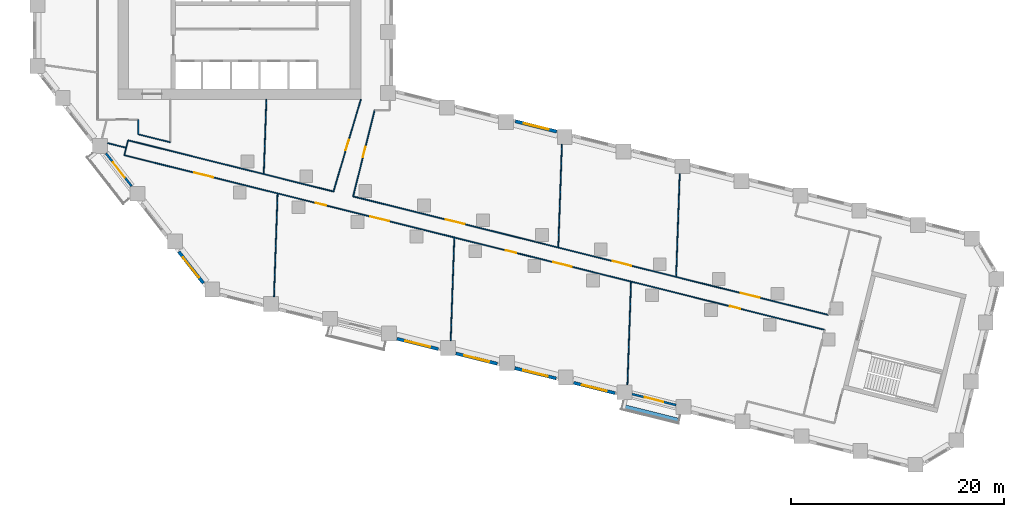
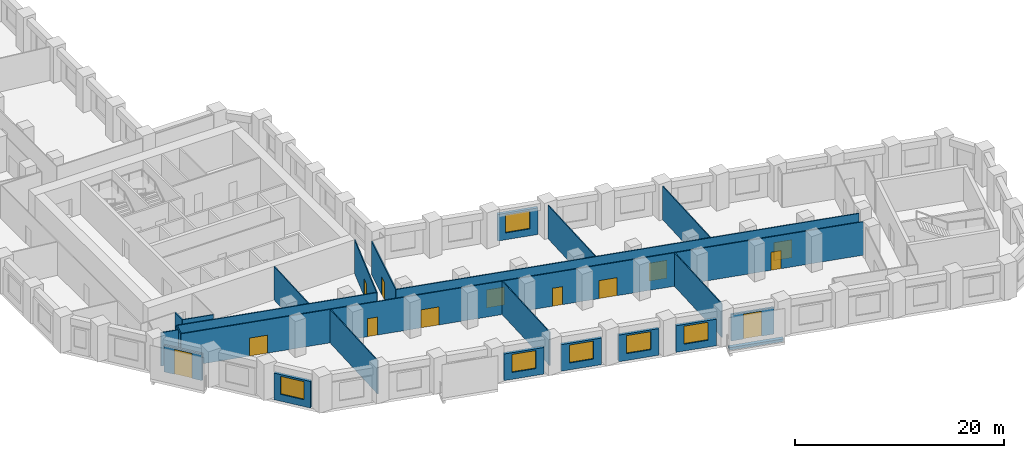
# One storey, part 3 of 11: 24 walls, 13 doors, 6 windows, 19 openings.
"""IFC4 building model written with IfcOpenShell, lengths in metres."""

import ifcopenshell
import ifcopenshell.guid

model = None  # the IFC model being written
_history = None  # IfcOwnerHistory: only IFC2X3 demands one
_inside = {}  # id of a spatial element -> (the spatial element, [elements in it])
_under = {}  # id of a project, library or spatial element -> (it, [spatial elements below it])
_declared = {}  # id of a project -> (the project, [libraries it declares])
_typed = {}  # id of a type object -> (the type object, [elements of that type])
_made_of = {}  # id of a material, layer set ... -> (it, [elements and type objects made of it])


def new_model(schema):
    """Start an empty IFC model of exactly this schema.

    Asked for "IFC4X3", IfcOpenShell would pick the latest addendum, in which some entities
    have other attributes; the version numbers below select the first issue.
    IFC2X3 requires an IfcOwnerHistory on every rooted entity: one is made here for all.
    """
    global model, _history
    if schema == "IFC4X3":
        model = ifcopenshell.file(schema_version=(4, 3, 0, 0))
    else:
        model = ifcopenshell.file(schema=schema)
    _inside.clear()
    _under.clear()
    _declared.clear()
    _typed.clear()
    _made_of.clear()
    _history = None
    if model.schema == "IFC2X3":
        org = make("IfcOrganization", Name="unknown")
        user = make(
            "IfcPersonAndOrganization",
            ThePerson=make("IfcPerson", FamilyName="unknown"),
            TheOrganization=org,
        )
        app = make(
            "IfcApplication",
            ApplicationDeveloper=org,
            Version="unknown",
            ApplicationFullName="unknown",
            ApplicationIdentifier="unknown",
        )
        _history = make(
            "IfcOwnerHistory",
            OwningUser=user,
            OwningApplication=app,
            ChangeAction="ADDED",
            CreationDate=0,
        )
    return model


def make(cls, **values):
    """One entity of the class cls with the attributes given. An attribute that is None is left unset."""
    return model.create_entity(
        cls, **{name: value for name, value in values.items() if value is not None}
    )


def rooted(cls, **values):
    """An entity with a GlobalId (a new one), such as an element, a storey or a relation."""
    return make(cls, GlobalId=ifcopenshell.guid.new(), OwnerHistory=_history, **values)


def si_unit(unit_type, name, prefix=None):
    """IfcSIUnit, for example si_unit("LENGTHUNIT", "METRE", prefix="MILLI")."""
    return make("IfcSIUnit", UnitType=unit_type, Prefix=prefix, Name=name)


def assignment(units):
    """IfcUnitAssignment: the units of a project."""
    return None if units is None else make("IfcUnitAssignment", Units=units)


def point(xyz):
    """IfcCartesianPoint."""
    return None if xyz is None else make("IfcCartesianPoint", Coordinates=xyz)


def direction(xyz):
    """IfcDirection."""
    return None if xyz is None else make("IfcDirection", DirectionRatios=xyz)


def frame(location, z_axis=None, x_axis=None):
    """IfcAxis2Placement3D, a coordinate frame: its origin and axes. An axis left out is left unset."""
    return make(
        "IfcAxis2Placement3D",
        Location=point(location),
        Axis=direction(z_axis),
        RefDirection=direction(x_axis),
    )


def frame_2d(location, x_axis=None):
    """IfcAxis2Placement2D, a coordinate frame in the plane: its origin and x axis."""
    return make(
        "IfcAxis2Placement2D", Location=point(location), RefDirection=direction(x_axis)
    )


def origin():
    """The frame at (0, 0, 0) with its axes left unset."""
    return frame((0.0, 0.0, 0.0))


def place(relative_to, where):
    """IfcLocalPlacement: puts the frame where relative to a parent placement (None: the world)."""
    return make(
        "IfcLocalPlacement", PlacementRelTo=relative_to, RelativePlacement=where
    )


def context(
    kind, dimensions, precision=None, world=None, true_north=None, identifier=None
):
    """IfcGeometricRepresentationContext, for example the 3D "Model" context."""
    return make(
        "IfcGeometricRepresentationContext",
        ContextIdentifier=identifier,
        ContextType=kind,
        CoordinateSpaceDimension=dimensions,
        Precision=precision,
        WorldCoordinateSystem=world,
        TrueNorth=true_north,
    )


def subcontext(parent, identifier, kind, view, scale=None):
    """IfcGeometricRepresentationSubContext, for example "Body" below "Model"."""
    return make(
        "IfcGeometricRepresentationSubContext",
        ContextIdentifier=identifier,
        ContextType=kind,
        ParentContext=parent,
        TargetScale=scale,
        TargetView=view,
    )


def project(units=None, contexts=None):
    """IfcProject with its units and contexts."""
    return rooted(
        "IfcProject",
        Name="project",
        RepresentationContexts=contexts,
        UnitsInContext=assignment(units),
    )


def spatial(cls, under=None, at=None, **own):
    """A site, building, storey or space (cls), placed at a placement, below another one or the project."""
    s = rooted(cls, ObjectPlacement=at, **own)
    if under is not None:
        _under.setdefault(under.id(), (under, []))[1].append(s)
    return s


def profile(cls, at=None, kind="AREA", **sizes):
    """A parametric profile (cls). Its sizes go by their IFC names, for example OverallWidth=200.0."""
    return make(cls, ProfileType=kind, Position=at, **sizes)


def rectangle(**sizes):
    """IfcRectangleProfileDef."""
    return profile("IfcRectangleProfileDef", **sizes)


def extrude(swept, where, along, depth):
    """IfcExtrudedAreaSolid: the profile swept, set in the frame where, extruded along a direction by depth."""
    return make(
        "IfcExtrudedAreaSolid",
        SweptArea=swept,
        Position=where,
        ExtrudedDirection=direction(along),
        Depth=depth,
    )


def shape(context_of_items, identifier, shape_type, items):
    """IfcShapeRepresentation: the items that make up one representation, for example the "Body"."""
    return make(
        "IfcShapeRepresentation",
        ContextOfItems=context_of_items,
        RepresentationIdentifier=identifier,
        RepresentationType=shape_type,
        Items=items,
    )


def material(Name=None, Category=None):
    """IfcMaterial."""
    return make("IfcMaterial", Name=Name, Category=Category)


def layer(
    of_material, thickness, ventilated=None, Name=None, Category=None, Priority=None
):
    """IfcMaterialLayer: one layer of a wall or slab, of a material (None: an air gap)."""
    return make(
        "IfcMaterialLayer",
        Material=of_material,
        LayerThickness=thickness,
        IsVentilated=ventilated,
        Name=Name,
        Category=Category,
        Priority=Priority,
    )


def layer_set(layers, Name=None):
    """IfcMaterialLayerSet."""
    return make("IfcMaterialLayerSet", MaterialLayers=layers, LayerSetName=Name)


def made_of(thing, what):
    """Note that an element or type object is made of a material, layer set ...; save() writes the relation."""
    if what is not None:
        _made_of.setdefault(what.id(), (what, []))[1].append(thing)
    return thing


def type_object(cls, material=None, **own):
    """A type object (cls), such as IfcWallType, which elements share."""
    return made_of(rooted(cls, **own), material)


def element(
    cls,
    number,
    at=None,
    inside=None,
    cuts=None,
    type_object=None,
    material=None,
    context=None,
    identifier="Body",
    shape_type=None,
    held_by="IfcProductDefinitionShape",
    body=None,
    shapes=None,
    **own,
):
    """One element of the class cls, such as IfcWall. Its Tag is "e" and its number.

    at: its placement. inside: the storey or other place that contains it. cuts: it is an
    opening in that element (IfcRelVoidsElement). A single representation is given by context,
    identifier, shape_type and body (its items); several are given by shapes. held_by: the class
    of the entity that holds the representations. save() writes the other relations.
    """
    e = rooted(cls, Tag="e%d" % number, ObjectPlacement=at, **own)
    if body is not None:
        shapes = [shape(context, identifier, shape_type, body)]
    if shapes is not None:
        e.Representation = make(held_by, Representations=shapes)
    if inside is not None:
        _inside.setdefault(inside.id(), (inside, []))[1].append(e)
    if cuts is not None:
        rooted(
            "IfcRelVoidsElement", RelatingBuildingElement=cuts, RelatedOpeningElement=e
        )
    if type_object is not None:
        _typed.setdefault(type_object.id(), (type_object, []))[1].append(e)
    return made_of(e, material)


def fill(opening, filler):
    """IfcRelFillsElement: the door or window that sits in an opening."""
    return rooted(
        "IfcRelFillsElement",
        RelatingOpeningElement=opening,
        RelatedBuildingElement=filler,
    )


def aggregate(whole, parts):
    """IfcRelAggregates: a whole, such as a stair, and the parts it consists of."""
    return rooted("IfcRelAggregates", RelatingObject=whole, RelatedObjects=parts)


def save(model, path):
    """Write the relations noted so far, then the file.

    IfcRelAggregates (storeys below a building ...), IfcRelContainedInSpatialStructure (elements
    in a storey), IfcRelDefinesByType, IfcRelAssociatesMaterial and IfcRelDeclares: one each for
    every whole, place, type object, material and project.
    """
    for whole, parts in _under.values():
        aggregate(whole, parts)
    for where, things in _inside.values():
        rooted(
            "IfcRelContainedInSpatialStructure",
            RelatedElements=things,
            RelatingStructure=where,
        )
    for kind, things in _typed.values():
        rooted("IfcRelDefinesByType", RelatedObjects=things, RelatingType=kind)
    for what, things in _made_of.values():
        rooted("IfcRelAssociatesMaterial", RelatedObjects=things, RelatingMaterial=what)
    for by, libraries in _declared.values():
        rooted("IfcRelDeclares", RelatingContext=by, RelatedDefinitions=libraries)
    model.write(path)


model = new_model("IFC4")

# Units and contexts
model_context = context("Model", 3, precision=1e-05, world=origin(), true_north=direction((0.0, 1.0)))
body_context = subcontext(model_context, "Body", "Model", "MODEL_VIEW")
ifc_project = project(units=[si_unit("LENGTHUNIT", "METRE"), si_unit("AREAUNIT", "SQUARE_METRE"), si_unit("VOLUMEUNIT", "CUBIC_METRE"), si_unit("PLANEANGLEUNIT", "RADIAN"), si_unit("MASSUNIT", "GRAM", prefix="KILO")], contexts=[model_context])

# Site, building, storey
site_placement = place(None, origin())
site = spatial("IfcSite", under=ifc_project, at=site_placement, CompositionType="ELEMENT")
building_placement = place(site_placement, origin())
building = spatial("IfcBuilding", under=site, at=building_placement, Name="Meshkara Civic Tower", CompositionType="ELEMENT")
storey_placement = place(building_placement, frame((0.0, 0.0, 70.800048828125)))
storey = spatial("IfcBuildingStorey", under=building, at=storey_placement, Name="L15", CompositionType="ELEMENT", Elevation=70.800048828125)

# Wall, openings, doors
ifc_material_1 = material(Name="Corridor wall 100")
ifc_layer_1 = layer(ifc_material_1, 0.10009765625)
ifc_layer_set_1 = layer_set([ifc_layer_1], Name="Corridor wall 100")
wall_type_1 = type_object("IfcWallType", Name="Corridor wall 100", PredefinedType="PARTITIONING", material=ifc_layer_set_1)
wall_1_placement = place(storey_placement, frame((8.593994140625, 8.862060546875, 0.0), z_axis=(0.0, 0.0, 1.0), x_axis=(0.970293392615, -0.241931255211, 0.0)))
wall_1 = element("IfcWall", 1, at=wall_1_placement, inside=storey, type_object=wall_type_1, Name="L15-W007", PredefinedType="PARTITIONING", context=body_context, shape_type="SweptSolid", body=[
    extrude(rectangle(XDim=67.775390625, YDim=0.10009765625, at=frame_2d((33.8876953125, 0.0))), origin(), (0.0, 0.0, 1.0), 3.89990234375),
])
opening_1_placement = place(wall_1_placement, frame((36.910888671875, 0.0, 0.0)))
opening_1 = element("IfcOpeningElement", 2, at=opening_1_placement, cuts=wall_1, Name="Opening L15-D003", PredefinedType="OPENING", context=body_context, shape_type="SweptSolid", body=[
    extrude(rectangle(XDim=1.0, YDim=2.10009765625, at=frame_2d((0.5, 1.050048828125))), frame((0.0, 0.06005859375, 0.0), z_axis=(0.0, -1.0, 0.0), x_axis=(1.0, 0.0, 0.0)), (0.0, 0.0, 1.0), 0.1201171875),
])
opening_2_placement = place(wall_1_placement, frame((41.510986328125, 0.0, 0.0)))
opening_2 = element("IfcOpeningElement", 3, at=opening_2_placement, cuts=wall_1, Name="Opening L15-D004", PredefinedType="OPENING", context=body_context, shape_type="SweptSolid", body=[
    extrude(rectangle(XDim=1.800048828125, YDim=2.10009765625, at=frame_2d((0.89990234375, 1.050048828125))), frame((0.0, 0.06005859375, 0.0), z_axis=(0.0, -1.0, 0.0), x_axis=(1.0, 0.0, 0.0)), (0.0, 0.0, 1.0), 0.1201171875),
])
opening_3_placement = place(wall_1_placement, frame((58.611083984375, 0.0, 0.0)))
opening_3 = element("IfcOpeningElement", 4, at=opening_3_placement, cuts=wall_1, Name="Opening L15-D006", PredefinedType="OPENING", context=body_context, shape_type="SweptSolid", body=[
    extrude(rectangle(XDim=1.0, YDim=2.10009765625, at=frame_2d((0.5, 1.050048828125))), frame((0.0, 0.06005859375, 0.0), z_axis=(0.0, -1.0, 0.0), x_axis=(1.0, 0.0, 0.0)), (0.0, 0.0, 1.0), 0.1201171875),
])
opening_4_placement = place(wall_1_placement, frame((18.510986328125, 0.0, 0.0)))
opening_4 = element("IfcOpeningElement", 5, at=opening_4_placement, cuts=wall_1, Name="Opening L15-D009", PredefinedType="OPENING", context=body_context, shape_type="SweptSolid", body=[
    extrude(rectangle(XDim=1.0, YDim=2.10009765625, at=frame_2d((0.5, 1.050048828125))), frame((0.0, 0.06005859375, 0.0), z_axis=(0.0, -1.0, 0.0), x_axis=(1.0, 0.0, 0.0)), (0.0, 0.0, 1.0), 0.1201171875),
])
opening_5_placement = place(wall_1_placement, frame((23.81103515625, 0.0, 0.0)))
opening_5 = element("IfcOpeningElement", 6, at=opening_5_placement, cuts=wall_1, Name="Opening L15-D010", PredefinedType="OPENING", context=body_context, shape_type="SweptSolid", body=[
    extrude(rectangle(XDim=1.800048828125, YDim=2.10009765625, at=frame_2d((0.89990234375, 1.050048828125))), frame((0.0, 0.06005859375, 0.0), z_axis=(0.0, -1.0, 0.0), x_axis=(1.0, 0.0, 0.0)), (0.0, 0.0, 1.0), 0.1201171875),
])
opening_6_placement = place(wall_1_placement, frame((6.780029296875, 0.0, 0.0)))
opening_6 = element("IfcOpeningElement", 7, at=opening_6_placement, cuts=wall_1, Name="Opening L15-D013", PredefinedType="OPENING", context=body_context, shape_type="SweptSolid", body=[
    extrude(rectangle(XDim=1.800048828125, YDim=2.10009765625, at=frame_2d((0.89990234375, 1.050048828125))), frame((0.0, 0.06005859375, 0.0), z_axis=(0.0, -1.0, 0.0), x_axis=(1.0, 0.0, 0.0)), (0.0, 0.0, 1.0), 0.1201171875),
])
ifc_material_2 = material(Name="Door 1000 x 2100")
door_type_1 = type_object("IfcDoorType", Name="Door 1000 x 2100", OperationType="SINGLE_SWING_LEFT", PredefinedType="DOOR", material=ifc_material_2)
door_1_placement = place(opening_1_placement, origin())
door_1 = element("IfcDoor", 8, at=door_1_placement, inside=storey, type_object=door_type_1, Name="L15-D003", OperationType="SINGLE_SWING_RIGHT", OverallHeight=2.10009765625, OverallWidth=1.0, PredefinedType="DOOR", context=body_context, shape_type="SweptSolid", body=[
    extrude(rectangle(XDim=1.0, YDim=2.10009765625, at=frame_2d((0.5, 1.050048828125))), frame((0.0, 0.02490234375, 0.0), z_axis=(0.0, -1.0, 0.0), x_axis=(1.0, 0.0, 0.0)), (0.0, 0.0, 1.0), 0.050048828125),
])
fill(opening_1, door_1)
door_2_placement = place(opening_3_placement, origin())
door_2 = element("IfcDoor", 9, at=door_2_placement, inside=storey, type_object=door_type_1, Name="L15-D006", OperationType="SINGLE_SWING_LEFT", OverallHeight=2.10009765625, OverallWidth=1.0, PredefinedType="DOOR", context=body_context, shape_type="SweptSolid", body=[
    extrude(rectangle(XDim=1.0, YDim=2.10009765625, at=frame_2d((0.5, 1.050048828125))), frame((0.0, 0.02490234375, 0.0), z_axis=(0.0, -1.0, 0.0), x_axis=(1.0, 0.0, 0.0)), (0.0, 0.0, 1.0), 0.050048828125),
])
fill(opening_3, door_2)
door_3_placement = place(opening_4_placement, origin())
door_3 = element("IfcDoor", 10, at=door_3_placement, inside=storey, type_object=door_type_1, Name="L15-D009", OperationType="SINGLE_SWING_RIGHT", OverallHeight=2.10009765625, OverallWidth=1.0, PredefinedType="DOOR", context=body_context, shape_type="SweptSolid", body=[
    extrude(rectangle(XDim=1.0, YDim=2.10009765625, at=frame_2d((0.5, 1.050048828125))), frame((0.0, 0.02490234375, 0.0), z_axis=(0.0, -1.0, 0.0), x_axis=(1.0, 0.0, 0.0)), (0.0, 0.0, 1.0), 0.050048828125),
])
fill(opening_4, door_3)
ifc_material_3 = material(Name="Door pair 1800 x 2100")
door_type_2 = type_object("IfcDoorType", Name="Door pair 1800 x 2100", OperationType="SINGLE_SWING_LEFT", PredefinedType="DOOR", material=ifc_material_3)
door_4_placement = place(opening_2_placement, origin())
door_4 = element("IfcDoor", 11, at=door_4_placement, inside=storey, type_object=door_type_2, Name="L15-D004", OperationType="DOUBLE_DOOR_SINGLE_SWING", OverallHeight=2.10009765625, OverallWidth=1.800048828125, PredefinedType="DOOR", context=body_context, shape_type="SweptSolid", body=[
    extrude(rectangle(XDim=1.800048828125, YDim=2.10009765625, at=frame_2d((0.89990234375, 1.050048828125))), frame((0.0, 0.02490234375, 0.0), z_axis=(0.0, -1.0, 0.0), x_axis=(1.0, 0.0, 0.0)), (0.0, 0.0, 1.0), 0.050048828125),
])
fill(opening_2, door_4)
door_5_placement = place(opening_5_placement, origin())
door_5 = element("IfcDoor", 12, at=door_5_placement, inside=storey, type_object=door_type_2, Name="L15-D010", OperationType="DOUBLE_DOOR_SINGLE_SWING", OverallHeight=2.10009765625, OverallWidth=1.800048828125, PredefinedType="DOOR", context=body_context, shape_type="SweptSolid", body=[
    extrude(rectangle(XDim=1.800048828125, YDim=2.10009765625, at=frame_2d((0.89990234375, 1.050048828125))), frame((0.0, 0.02490234375, 0.0), z_axis=(0.0, -1.0, 0.0), x_axis=(1.0, 0.0, 0.0)), (0.0, 0.0, 1.0), 0.050048828125),
])
fill(opening_5, door_5)
door_6_placement = place(opening_6_placement, origin())
door_6 = element("IfcDoor", 13, at=door_6_placement, inside=storey, type_object=door_type_2, Name="L15-D013", OperationType="DOUBLE_DOOR_SINGLE_SWING", OverallHeight=2.10009765625, OverallWidth=1.800048828125, PredefinedType="DOOR", context=body_context, shape_type="SweptSolid", body=[
    extrude(rectangle(XDim=1.800048828125, YDim=2.10009765625, at=frame_2d((0.89990234375, 1.050048828125))), frame((0.0, 0.02490234375, 0.0), z_axis=(0.0, -1.0, 0.0), x_axis=(1.0, 0.0, 0.0)), (0.0, 0.0, 1.0), 0.050048828125),
])
fill(opening_6, door_6)

# Walls
wall_2_placement = place(storey_placement, frame((8.944091796875, 10.263916015625, 0.0), z_axis=(0.0, 0.0, 1.0), x_axis=(0.970300504447, -0.241902730595, 0.0)))
element("IfcWall", 14, at=wall_2_placement, inside=storey, type_object=wall_type_1, Name="L15-W008", PredefinedType="PARTITIONING", context=body_context, shape_type="SweptSolid", body=[
    extrude(rectangle(XDim=19.879150390625, YDim=0.10009765625, at=frame_2d((9.939453125, 0.0))), origin(), (0.0, 0.0, 1.0), 3.89990234375),
])
wall_3_placement = place(storey_placement, frame((8.944091796875, 10.263916015625, 0.0), z_axis=(0.0, 0.0, 1.0), x_axis=(-0.242297077633, -0.970202105837, 0.0)))
element("IfcWall", 15, at=wall_3_placement, inside=storey, type_object=wall_type_1, Name="L15-W009", PredefinedType="PARTITIONING", context=body_context, shape_type="SweptSolid", body=[
    extrude(rectangle(XDim=1.44482421875, YDim=0.10009765625, at=frame_2d((0.722412109375, 0.0))), origin(), (0.0, 0.0, 1.0), 3.89990234375),
])
wall_4_placement = place(storey_placement, frame((9.89990234375, 10.825927734375, 0.0), z_axis=(0.0, 0.0, 1.0), x_axis=(0.970290953223, -0.241941038466, 0.0)))
element("IfcWall", 16, at=wall_4_placement, inside=storey, type_object=wall_type_1, Name="L15-W010", PredefinedType="PARTITIONING", context=body_context, shape_type="SweptSolid", body=[
    extrude(rectangle(XDim=3.091796875, YDim=0.10009765625, at=frame_2d((1.5458984375, 0.0))), origin(), (0.0, 0.0, 1.0), 3.89990234375),
])
wall_5_placement = place(storey_placement, frame((9.89990234375, 12.199951171875, 0.0), z_axis=(0.0, 0.0, 1.0), x_axis=(0.0, -1.0, 0.0)))
element("IfcWall", 17, at=wall_5_placement, inside=storey, type_object=wall_type_1, Name="L15-W011", PredefinedType="PARTITIONING", context=body_context, shape_type="SweptSolid", body=[
    extrude(rectangle(XDim=1.3740234375, YDim=0.10009765625, at=frame_2d((0.68701171875, 0.0))), origin(), (0.0, 0.0, 1.0), 3.89990234375),
])

# Wall, openings, doors
wall_6_placement = place(storey_placement, frame((30.075927734375, 4.9951171875, 0.0), z_axis=(0.0, 0.0, 1.0), x_axis=(0.970296234935, -0.241919855469, 0.0)))
wall_6 = element("IfcWall", 18, at=wall_6_placement, inside=storey, type_object=wall_type_1, Name="L15-W020", PredefinedType="PARTITIONING", context=body_context, shape_type="SweptSolid", body=[
    extrude(rectangle(XDim=45.995361328125, YDim=0.10009765625, at=frame_2d((22.99755859375, 0.0))), origin(), (0.0, 0.0, 1.0), 3.89990234375),
])
opening_7_placement = place(wall_6_placement, frame((25.12109375, 0.0, 0.0)))
opening_7 = element("IfcOpeningElement", 19, at=opening_7_placement, cuts=wall_6, Name="Opening L15-D005", PredefinedType="OPENING", context=body_context, shape_type="SweptSolid", body=[
    extrude(rectangle(XDim=1.800048828125, YDim=2.10009765625, at=frame_2d((0.89990234375, 1.050048828125))), frame((0.0, 0.06005859375, 0.0), z_axis=(0.0, -1.0, 0.0), x_axis=(1.0, 0.0, 0.0)), (0.0, 0.0, 1.0), 0.1201171875),
])
opening_8_placement = place(wall_6_placement, frame((37.52001953125, 0.0, 0.0)))
opening_8 = element("IfcOpeningElement", 20, at=opening_8_placement, cuts=wall_6, Name="Opening L15-D007", PredefinedType="OPENING", context=body_context, shape_type="SweptSolid", body=[
    extrude(rectangle(XDim=1.800048828125, YDim=2.10009765625, at=frame_2d((0.89990234375, 1.050048828125))), frame((0.0, 0.06005859375, 0.0), z_axis=(0.0, -1.0, 0.0), x_axis=(1.0, 0.0, 0.0)), (0.0, 0.0, 1.0), 0.1201171875),
])
opening_9_placement = place(wall_6_placement, frame((8.97998046875, 0.0, 0.0)))
opening_9 = element("IfcOpeningElement", 21, at=opening_9_placement, cuts=wall_6, Name="Opening L15-D011", PredefinedType="OPENING", context=body_context, shape_type="SweptSolid", body=[
    extrude(rectangle(XDim=1.800048828125, YDim=2.10009765625, at=frame_2d((0.89990234375, 1.050048828125))), frame((0.0, 0.06005859375, 0.0), z_axis=(0.0, -1.0, 0.0), x_axis=(1.0, 0.0, 0.0)), (0.0, 0.0, 1.0), 0.1201171875),
])
door_7_placement = place(opening_7_placement, origin())
door_7 = element("IfcDoor", 22, at=door_7_placement, inside=storey, type_object=door_type_2, Name="L15-D005", OperationType="DOUBLE_DOOR_SINGLE_SWING", OverallHeight=2.10009765625, OverallWidth=1.800048828125, PredefinedType="DOOR", context=body_context, shape_type="SweptSolid", body=[
    extrude(rectangle(XDim=1.800048828125, YDim=2.10009765625, at=frame_2d((0.89990234375, 1.050048828125))), frame((0.0, 0.02490234375, 0.0), z_axis=(0.0, -1.0, 0.0), x_axis=(1.0, 0.0, 0.0)), (0.0, 0.0, 1.0), 0.050048828125),
])
fill(opening_7, door_7)
door_8_placement = place(opening_8_placement, origin())
door_8 = element("IfcDoor", 23, at=door_8_placement, inside=storey, type_object=door_type_2, Name="L15-D007", OperationType="DOUBLE_DOOR_SINGLE_SWING", OverallHeight=2.10009765625, OverallWidth=1.800048828125, PredefinedType="DOOR", context=body_context, shape_type="SweptSolid", body=[
    extrude(rectangle(XDim=1.800048828125, YDim=2.10009765625, at=frame_2d((0.89990234375, 1.050048828125))), frame((0.0, 0.02490234375, 0.0), z_axis=(0.0, -1.0, 0.0), x_axis=(1.0, 0.0, 0.0)), (0.0, 0.0, 1.0), 0.050048828125),
])
fill(opening_8, door_8)
door_9_placement = place(opening_9_placement, origin())
door_9 = element("IfcDoor", 24, at=door_9_placement, inside=storey, type_object=door_type_2, Name="L15-D011", OperationType="DOUBLE_DOOR_SINGLE_SWING", OverallHeight=2.10009765625, OverallWidth=1.800048828125, PredefinedType="DOOR", context=body_context, shape_type="SweptSolid", body=[
    extrude(rectangle(XDim=1.800048828125, YDim=2.10009765625, at=frame_2d((0.89990234375, 1.050048828125))), frame((0.0, 0.02490234375, 0.0), z_axis=(0.0, -1.0, 0.0), x_axis=(1.0, 0.0, 0.0)), (0.0, 0.0, 1.0), 0.050048828125),
])
fill(opening_9, door_9)

# Wall, opening, door
wall_7_placement = place(storey_placement, frame((30.075927734375, 4.9951171875, 0.0), z_axis=(0.0, 0.0, 1.0), x_axis=(0.241944155572, 0.97029017597, 0.0)))
wall_7 = element("IfcWall", 25, at=wall_7_placement, inside=storey, type_object=wall_type_1, Name="L15-W021", PredefinedType="PARTITIONING", context=body_context, shape_type="SweptSolid", body=[
    extrude(rectangle(XDim=8.353271484375, YDim=0.10009765625, at=frame_2d((4.1767578125, 0.0))), origin(), (0.0, 0.0, 1.0), 3.89990234375),
])
opening_10_placement = place(wall_7_placement, frame((3.780029296875, 0.0, 0.0)))
opening_10 = element("IfcOpeningElement", 26, at=opening_10_placement, cuts=wall_7, Name="Opening L15-D015", PredefinedType="OPENING", context=body_context, shape_type="SweptSolid", body=[
    extrude(rectangle(XDim=1.0, YDim=2.10009765625, at=frame_2d((0.5, 1.050048828125))), frame((0.0, 0.06005859375, 0.0), z_axis=(0.0, -1.0, 0.0), x_axis=(1.0, 0.0, 0.0)), (0.0, 0.0, 1.0), 0.1201171875),
])
door_10_placement = place(opening_10_placement, origin())
door_10 = element("IfcDoor", 27, at=door_10_placement, inside=storey, type_object=door_type_1, Name="L15-D015", OperationType="SINGLE_SWING_LEFT", OverallHeight=2.10009765625, OverallWidth=1.0, PredefinedType="DOOR", context=body_context, shape_type="SweptSolid", body=[
    extrude(rectangle(XDim=1.0, YDim=2.10009765625, at=frame_2d((0.5, 1.050048828125))), frame((0.0, 0.02490234375, 0.0), z_axis=(0.0, -1.0, 0.0), x_axis=(1.0, 0.0, 0.0)), (0.0, 0.0, 1.0), 0.050048828125),
])
fill(opening_10, door_10)

wall_8_placement = place(storey_placement, frame((30.800048828125, 14.10009765625, 0.0), z_axis=(0.0, 0.0, 1.0), x_axis=(-0.284664373847, -0.95862724469, 0.0)))
wall_8 = element("IfcWall", 28, at=wall_8_placement, inside=storey, type_object=wall_type_1, Name="L15-W022", PredefinedType="PARTITIONING", context=body_context, shape_type="SweptSolid", body=[
    extrude(rectangle(XDim=9.01806640625, YDim=0.10009765625, at=frame_2d((4.509033203125, 0.0))), origin(), (0.0, 0.0, 1.0), 3.89990234375),
])
opening_11_placement = place(wall_8_placement, frame((3.97998046875, 0.0, 0.0)))
opening_11 = element("IfcOpeningElement", 29, at=opening_11_placement, cuts=wall_8, Name="Opening L15-D014", PredefinedType="OPENING", context=body_context, shape_type="SweptSolid", body=[
    extrude(rectangle(XDim=1.0, YDim=2.10009765625, at=frame_2d((0.5, 1.050048828125))), frame((0.0, 0.06005859375, 0.0), z_axis=(0.0, -1.0, 0.0), x_axis=(1.0, 0.0, 0.0)), (0.0, 0.0, 1.0), 0.1201171875),
])
door_11_placement = place(opening_11_placement, origin())
door_11 = element("IfcDoor", 30, at=door_11_placement, inside=storey, type_object=door_type_1, Name="L15-D014", OperationType="SINGLE_SWING_RIGHT", OverallHeight=2.10009765625, OverallWidth=1.0, PredefinedType="DOOR", context=body_context, shape_type="SweptSolid", body=[
    extrude(rectangle(XDim=1.0, YDim=2.10009765625, at=frame_2d((0.5, 1.050048828125))), frame((0.0, 0.02490234375, 0.0), z_axis=(0.0, -1.0, 0.0), x_axis=(1.0, 0.0, 0.0)), (0.0, 0.0, 1.0), 0.050048828125),
])
fill(opening_11, door_11)

# Wall, opening, window
ifc_material_4 = material(Name="Insulated infill panel with bronze anodised aluminium cladding", Category="aluminium")
ifc_layer_2 = layer(ifc_material_4, 0.300048828125)
ifc_layer_set_2 = layer_set([ifc_layer_2], Name="EXTERNAL INFILL WALL 300")
wall_type_2 = type_object("IfcWallType", Name="EXTERNAL INFILL WALL 300", PredefinedType="SOLIDWALL", material=ifc_layer_set_2)
wall_9_placement = place(storey_placement, frame((49.19091796875, 11.0791015625, 0.0), z_axis=(0.0, 0.0, 1.0), x_axis=(-0.970318045095, 0.24183236211, 0.0)))
wall_9 = element("IfcWall", 31, at=wall_9_placement, inside=storey, type_object=wall_type_2, Name="External wall", PredefinedType="SOLIDWALL", context=body_context, shape_type="SweptSolid", body=[
    extrude(rectangle(XDim=4.0029296875, YDim=0.300048828125, at=frame_2d((2.00146484375, 0.0))), origin(), (0.0, 0.0, 1.0), 3.099853515625),
])
opening_12_placement = place(wall_9_placement, frame((0.802001953125, 0.0, 0.800048828125)))
opening_12 = element("IfcOpeningElement", 32, at=opening_12_placement, cuts=wall_9, Name="Opening W7", PredefinedType="OPENING", context=body_context, shape_type="SweptSolid", body=[
    extrude(rectangle(XDim=2.39990234375, YDim=2.10009765625, at=frame_2d((1.199951171875, 1.050048828125))), frame((0.0, 0.159912109375, 0.0), z_axis=(0.0, -1.0, 0.0), x_axis=(1.0, 0.0, 0.0)), (0.0, 0.0, 1.0), 0.320068359375),
])
ifc_material_5 = material(Name="Tinted double glazing", Category="glass")
window_type = type_object("IfcWindowType", Name="WINDOW 2400x2100", PartitioningType="DOUBLE_PANEL_VERTICAL", PredefinedType="WINDOW", material=ifc_material_5)
window_1_placement = place(opening_12_placement, origin())
window_1 = element("IfcWindow", 33, at=window_1_placement, inside=storey, type_object=window_type, Name="Window", OverallHeight=2.10009765625, OverallWidth=2.39990234375, PartitioningType="DOUBLE_PANEL_VERTICAL", PredefinedType="WINDOW", context=body_context, shape_type="SweptSolid", body=[
    extrude(rectangle(XDim=2.39990234375, YDim=2.10009765625, at=frame_2d((1.199951171875, 1.050048828125))), frame((0.0, 0.030029296875, 0.0), z_axis=(0.0, -1.0, 0.0), x_axis=(1.0, 0.0, 0.0)), (0.0, 0.0, 1.0), 0.06005859375),
])
fill(opening_12, window_1)

wall_10_placement = place(storey_placement, frame((13.7099609375, -0.205078125, 0.0), z_axis=(0.0, 0.0, 1.0), x_axis=(0.615798780214, -0.787903460004, 0.0)))
wall_10 = element("IfcWall", 34, at=wall_10_placement, inside=storey, type_object=wall_type_2, Name="External wall", PredefinedType="SOLIDWALL", context=body_context, shape_type="SweptSolid", body=[
    extrude(rectangle(XDim=3.735107421875, YDim=0.300048828125, at=frame_2d((1.86767578125, 0.0))), origin(), (0.0, 0.0, 1.0), 3.099853515625),
])
opening_13_placement = place(wall_10_placement, frame((0.6669921875, 0.0, 0.800048828125)))
opening_13 = element("IfcOpeningElement", 35, at=opening_13_placement, cuts=wall_10, Name="Opening W7", PredefinedType="OPENING", context=body_context, shape_type="SweptSolid", body=[
    extrude(rectangle(XDim=2.39990234375, YDim=2.10009765625, at=frame_2d((1.199951171875, 1.050048828125))), frame((0.0, 0.159912109375, 0.0), z_axis=(0.0, -1.0, 0.0), x_axis=(1.0, 0.0, 0.0)), (0.0, 0.0, 1.0), 0.320068359375),
])
window_2_placement = place(opening_13_placement, origin())
window_2 = element("IfcWindow", 36, at=window_2_placement, inside=storey, type_object=window_type, Name="Window", OverallHeight=2.10009765625, OverallWidth=2.39990234375, PartitioningType="DOUBLE_PANEL_VERTICAL", PredefinedType="WINDOW", context=body_context, shape_type="SweptSolid", body=[
    extrude(rectangle(XDim=2.39990234375, YDim=2.10009765625, at=frame_2d((1.199951171875, 1.050048828125))), frame((0.0, 0.030029296875, 0.0), z_axis=(0.0, -1.0, 0.0), x_axis=(1.0, 0.0, 0.0)), (0.0, 0.0, 1.0), 0.06005859375),
])
fill(opening_13, window_2)

wall_11_placement = place(storey_placement, frame((34.194091796875, -8.37109375, 0.0), z_axis=(0.0, 0.0, 1.0), x_axis=(0.970314477803, -0.241846674911, 0.0)))
wall_11 = element("IfcWall", 37, at=wall_11_placement, inside=storey, type_object=wall_type_2, Name="External wall", PredefinedType="SOLIDWALL", context=body_context, shape_type="SweptSolid", body=[
    extrude(rectangle(XDim=4.002685546875, YDim=0.300048828125, at=frame_2d((2.00146484375, 0.0))), origin(), (0.0, 0.0, 1.0), 3.099853515625),
])
opening_14_placement = place(wall_11_placement, frame((0.802001953125, 0.0, 0.800048828125)))
opening_14 = element("IfcOpeningElement", 38, at=opening_14_placement, cuts=wall_11, Name="Opening W7", PredefinedType="OPENING", context=body_context, shape_type="SweptSolid", body=[
    extrude(rectangle(XDim=2.39990234375, YDim=2.10009765625, at=frame_2d((1.199951171875, 1.050048828125))), frame((0.0, 0.159912109375, 0.0), z_axis=(0.0, -1.0, 0.0), x_axis=(1.0, 0.0, 0.0)), (0.0, 0.0, 1.0), 0.320068359375),
])
window_3_placement = place(opening_14_placement, origin())
window_3 = element("IfcWindow", 39, at=window_3_placement, inside=storey, type_object=window_type, Name="Window", OverallHeight=2.10009765625, OverallWidth=2.39990234375, PartitioningType="DOUBLE_PANEL_VERTICAL", PredefinedType="WINDOW", context=body_context, shape_type="SweptSolid", body=[
    extrude(rectangle(XDim=2.39990234375, YDim=2.10009765625, at=frame_2d((1.199951171875, 1.050048828125))), frame((0.0, 0.030029296875, 0.0), z_axis=(0.0, -1.0, 0.0), x_axis=(1.0, 0.0, 0.0)), (0.0, 0.0, 1.0), 0.06005859375),
])
fill(opening_14, window_3)

wall_12_placement = place(storey_placement, frame((39.72509765625, -9.75, 0.0), z_axis=(0.0, 0.0, 1.0), x_axis=(0.970314477803, -0.241846674911, 0.0)))
wall_12 = element("IfcWall", 40, at=wall_12_placement, inside=storey, type_object=wall_type_2, Name="External wall", PredefinedType="SOLIDWALL", context=body_context, shape_type="SweptSolid", body=[
    extrude(rectangle(XDim=4.002685546875, YDim=0.300048828125, at=frame_2d((2.00146484375, 0.0))), origin(), (0.0, 0.0, 1.0), 3.099853515625),
])
opening_15_placement = place(wall_12_placement, frame((0.801025390625, 0.0, 0.800048828125)))
opening_15 = element("IfcOpeningElement", 41, at=opening_15_placement, cuts=wall_12, Name="Opening W7", PredefinedType="OPENING", context=body_context, shape_type="SweptSolid", body=[
    extrude(rectangle(XDim=2.39990234375, YDim=2.10009765625, at=frame_2d((1.199951171875, 1.050048828125))), frame((0.0, 0.159912109375, 0.0), z_axis=(0.0, -1.0, 0.0), x_axis=(1.0, 0.0, 0.0)), (0.0, 0.0, 1.0), 0.320068359375),
])
window_4_placement = place(opening_15_placement, origin())
window_4 = element("IfcWindow", 42, at=window_4_placement, inside=storey, type_object=window_type, Name="Window", OverallHeight=2.10009765625, OverallWidth=2.39990234375, PartitioningType="DOUBLE_PANEL_VERTICAL", PredefinedType="WINDOW", context=body_context, shape_type="SweptSolid", body=[
    extrude(rectangle(XDim=2.39990234375, YDim=2.10009765625, at=frame_2d((1.199951171875, 1.050048828125))), frame((0.0, 0.030029296875, 0.0), z_axis=(0.0, -1.0, 0.0), x_axis=(1.0, 0.0, 0.0)), (0.0, 0.0, 1.0), 0.06005859375),
])
fill(opening_15, window_4)

wall_13_placement = place(storey_placement, frame((45.256103515625, -11.12890625, 0.0), z_axis=(0.0, 0.0, 1.0), x_axis=(0.970300202301, -0.241903942538, 0.0)))
wall_13 = element("IfcWall", 43, at=wall_13_placement, inside=storey, type_object=wall_type_2, Name="External wall", PredefinedType="SOLIDWALL", context=body_context, shape_type="SweptSolid", body=[
    extrude(rectangle(XDim=4.001708984375, YDim=0.300048828125, at=frame_2d((2.0009765625, 0.0))), origin(), (0.0, 0.0, 1.0), 3.099853515625),
])
opening_16_placement = place(wall_13_placement, frame((0.801025390625, 0.0, 0.800048828125)))
opening_16 = element("IfcOpeningElement", 44, at=opening_16_placement, cuts=wall_13, Name="Opening W7", PredefinedType="OPENING", context=body_context, shape_type="SweptSolid", body=[
    extrude(rectangle(XDim=2.39990234375, YDim=2.10009765625, at=frame_2d((1.199951171875, 1.050048828125))), frame((0.0, 0.159912109375, 0.0), z_axis=(0.0, -1.0, 0.0), x_axis=(1.0, 0.0, 0.0)), (0.0, 0.0, 1.0), 0.320068359375),
])
window_5_placement = place(opening_16_placement, origin())
window_5 = element("IfcWindow", 45, at=window_5_placement, inside=storey, type_object=window_type, Name="Window", OverallHeight=2.10009765625, OverallWidth=2.39990234375, PartitioningType="DOUBLE_PANEL_VERTICAL", PredefinedType="WINDOW", context=body_context, shape_type="SweptSolid", body=[
    extrude(rectangle(XDim=2.39990234375, YDim=2.10009765625, at=frame_2d((1.199951171875, 1.050048828125))), frame((0.0, 0.030029296875, 0.0), z_axis=(0.0, -1.0, 0.0), x_axis=(1.0, 0.0, 0.0)), (0.0, 0.0, 1.0), 0.06005859375),
])
fill(opening_16, window_5)

wall_14_placement = place(storey_placement, frame((50.785888671875, -12.508056640625, 0.0), z_axis=(0.0, 0.0, 1.0), x_axis=(0.970318045095, -0.24183236211, 0.0)))
wall_14 = element("IfcWall", 46, at=wall_14_placement, inside=storey, type_object=wall_type_2, Name="External wall", PredefinedType="SOLIDWALL", context=body_context, shape_type="SweptSolid", body=[
    extrude(rectangle(XDim=4.0029296875, YDim=0.300048828125, at=frame_2d((2.00146484375, 0.0))), origin(), (0.0, 0.0, 1.0), 3.099853515625),
])
opening_17_placement = place(wall_14_placement, frame((0.802001953125, 0.0, 0.800048828125)))
opening_17 = element("IfcOpeningElement", 47, at=opening_17_placement, cuts=wall_14, Name="Opening W7", PredefinedType="OPENING", context=body_context, shape_type="SweptSolid", body=[
    extrude(rectangle(XDim=2.39990234375, YDim=2.10009765625, at=frame_2d((1.199951171875, 1.050048828125))), frame((0.0, 0.159912109375, 0.0), z_axis=(0.0, -1.0, 0.0), x_axis=(1.0, 0.0, 0.0)), (0.0, 0.0, 1.0), 0.320068359375),
])
window_6_placement = place(opening_17_placement, origin())
window_6 = element("IfcWindow", 48, at=window_6_placement, inside=storey, type_object=window_type, Name="Window", OverallHeight=2.10009765625, OverallWidth=2.39990234375, PartitioningType="DOUBLE_PANEL_VERTICAL", PredefinedType="WINDOW", context=body_context, shape_type="SweptSolid", body=[
    extrude(rectangle(XDim=2.39990234375, YDim=2.10009765625, at=frame_2d((1.199951171875, 1.050048828125))), frame((0.0, 0.030029296875, 0.0), z_axis=(0.0, -1.0, 0.0), x_axis=(1.0, 0.0, 0.0)), (0.0, 0.0, 1.0), 0.06005859375),
])
fill(opening_17, window_6)

# Wall, opening, door
ifc_material_6 = material(Name="Insulated infill panel with bronze anodised aluminium cladding", Category="aluminium")
ifc_layer_3 = layer(ifc_material_6, 0.199951171875)
ifc_layer_set_3 = layer_set([ifc_layer_3], Name="LOGGIA BACK WALL 200")
wall_type_3 = type_object("IfcWallType", Name="LOGGIA BACK WALL 200", PredefinedType="SOLIDWALL", material=ifc_layer_set_3)
wall_15_placement = place(storey_placement, frame((6.87109375, 9.037109375, 0.0), z_axis=(0.0, 0.0, 1.0), x_axis=(0.615507574125, -0.788130970204, 0.0)))
wall_15 = element("IfcWall", 49, at=wall_15_placement, inside=storey, type_object=wall_type_3, Name="Loggia wall", PredefinedType="SOLIDWALL", context=body_context, shape_type="SweptSolid", body=[
    extrude(rectangle(XDim=3.92333984375, YDim=0.199951171875, at=frame_2d((1.961669921875, 0.0))), origin(), (0.0, 0.0, 1.0), 3.099853515625),
])
opening_18_placement = place(wall_15_placement, frame((1.06103515625, 0.0, 0.0)))
opening_18 = element("IfcOpeningElement", 50, at=opening_18_placement, cuts=wall_15, Name="Opening L15-L003", PredefinedType="OPENING", context=body_context, shape_type="SweptSolid", body=[
    extrude(rectangle(XDim=1.800048828125, YDim=2.89990234375, at=frame_2d((0.89990234375, 1.449951171875))), frame((0.0, 0.10986328125, 0.0), z_axis=(0.0, -1.0, 0.0), x_axis=(1.0, 0.0, 0.0)), (0.0, 0.0, 1.0), 0.219970703125),
])
ifc_material_7 = material(Name="Tinted double glazing", Category="glass")
door_type_3 = type_object("IfcDoorType", Name="LOGGIA DOOR 1800x2900", OperationType="DOUBLE_DOOR_SINGLE_SWING", PredefinedType="DOOR", material=ifc_material_7)
door_12_placement = place(opening_18_placement, origin())
door_12 = element("IfcDoor", 51, at=door_12_placement, inside=storey, type_object=door_type_3, Name="L15-L003", OperationType="DOUBLE_DOOR_SINGLE_SWING", OverallHeight=2.89990234375, OverallWidth=1.800048828125, PredefinedType="DOOR", context=body_context, shape_type="SweptSolid", body=[
    extrude(rectangle(XDim=1.800048828125, YDim=2.89990234375, at=frame_2d((0.89990234375, 1.449951171875))), frame((0.0, 0.02490234375, 0.0), z_axis=(0.0, -1.0, 0.0), x_axis=(1.0, 0.0, 0.0)), (0.0, 0.0, 1.0), 0.050048828125),
])
fill(opening_18, door_12)

wall_16_placement = place(storey_placement, frame((56.26611328125, -13.56494140625, 0.0), z_axis=(0.0, 0.0, 1.0), x_axis=(0.970290742877, -0.241941882045, 0.0)))
wall_16 = element("IfcWall", 52, at=wall_16_placement, inside=storey, type_object=wall_type_3, Name="Loggia wall", PredefinedType="SOLIDWALL", context=body_context, shape_type="SweptSolid", body=[
    extrude(rectangle(XDim=4.25732421875, YDim=0.199951171875, at=frame_2d((2.128662109375, 0.0))), origin(), (0.0, 0.0, 1.0), 3.099853515625),
])
opening_19_placement = place(wall_16_placement, frame((1.22802734375, 0.0, 0.0)))
opening_19 = element("IfcOpeningElement", 53, at=opening_19_placement, cuts=wall_16, Name="Opening L15-L005", PredefinedType="OPENING", context=body_context, shape_type="SweptSolid", body=[
    extrude(rectangle(XDim=1.800048828125, YDim=2.89990234375, at=frame_2d((0.89990234375, 1.449951171875))), frame((0.0, 0.10986328125, 0.0), z_axis=(0.0, -1.0, 0.0), x_axis=(1.0, 0.0, 0.0)), (0.0, 0.0, 1.0), 0.219970703125),
])
door_13_placement = place(opening_19_placement, origin())
door_13 = element("IfcDoor", 54, at=door_13_placement, inside=storey, type_object=door_type_3, Name="L15-L005", OperationType="DOUBLE_DOOR_SINGLE_SWING", OverallHeight=2.89990234375, OverallWidth=1.800048828125, PredefinedType="DOOR", context=body_context, shape_type="SweptSolid", body=[
    extrude(rectangle(XDim=1.800048828125, YDim=2.89990234375, at=frame_2d((0.89990234375, 1.449951171875))), frame((0.0, 0.02490234375, 0.0), z_axis=(0.0, -1.0, 0.0), x_axis=(1.0, 0.0, 0.0)), (0.0, 0.0, 1.0), 0.050048828125),
])
fill(opening_19, door_13)

# Walls
ifc_material_8 = material(Name="Concrete C40", Category="concrete")
ifc_layer_4 = layer(ifc_material_8, 0.39990234375)
ifc_layer_set_4 = layer_set([ifc_layer_4], Name="PLANTER TRAY")
wall_type_4 = type_object("IfcWallType", Name="PLANTER TRAY", PredefinedType="SOLIDWALL", material=ifc_layer_set_4)
wall_17_placement = place(storey_placement, frame((55.408935546875, -14.721923828125, 0.0), z_axis=(0.0, 0.0, 1.0), x_axis=(0.970281652924, -0.241978333739, 0.0)))
element("IfcWall", 55, at=wall_17_placement, inside=storey, type_object=wall_type_4, Name="Planter", PredefinedType="SOLIDWALL", context=body_context, shape_type="SweptSolid", body=[
    extrude(rectangle(XDim=5.360595703125, YDim=0.39990234375, at=frame_2d((2.68017578125, 0.0))), origin(), (0.0, 0.0, 1.0), 0.300048828125),
])
ifc_material_9 = material(Name="Partition 100")
ifc_layer_5 = layer(ifc_material_9, 0.10009765625)
ifc_layer_set_5 = layer_set([ifc_layer_5], Name="Partition 100")
wall_type_5 = type_object("IfcWallType", Name="Partition 100", PredefinedType="PARTITIONING", material=ifc_layer_set_5)
wall_18_placement = place(storey_placement, frame((8.719970703125, 9.573974609375, 0.0), z_axis=(0.0, 0.0, 1.0), x_axis=(-0.97016712555, 0.242437102155, 0.0)))
element("IfcWall", 56, at=wall_18_placement, inside=storey, type_object=wall_type_5, Name="L15-W038", PredefinedType="PARTITIONING", context=body_context, shape_type="SweptSolid", body=[
    extrude(rectangle(XDim=1.749267578125, YDim=0.10009765625, at=frame_2d((0.87451171875, 0.0))), origin(), (0.0, 0.0, 1.0), 3.89990234375),
])
wall_19_placement = place(storey_placement, frame((21.68896484375, 7.14892578125, 0.0), z_axis=(0.0, 0.0, 1.0), x_axis=(0.03492529419, 0.999389925818, 0.0)))
element("IfcWall", 57, at=wall_19_placement, inside=storey, type_object=wall_type_5, Name="L15-W045", PredefinedType="PARTITIONING", context=body_context, shape_type="SweptSolid", body=[
    extrude(rectangle(XDim=6.955322265625, YDim=0.10009765625, at=frame_2d((3.4775390625, 0.0))), origin(), (0.0, 0.0, 1.0), 3.89990234375),
])
for number, where, z_axis, x_axis, name in (
    (58, (22.64599609375, -4.4169921875, 0.0), (0.0, 0.0, 1.0), (0.03486722434, 0.999391953473, 0.0), "L15-W046"),
    (59, (39.238037109375, -8.553955078125, 0.0), (0.0, 0.0, 1.0), (0.03486722434, 0.999391953473, 0.0), "L15-W047"),
):
    element("IfcWall", number, at=place(storey_placement, frame(where, z_axis=z_axis, x_axis=x_axis)), inside=storey, type_object=wall_type_5, Name=name, PredefinedType="PARTITIONING", context=body_context, shape_type="SweptSolid", body=[
        extrude(rectangle(XDim=9.634765625, YDim=0.10009765625, at=frame_2d((4.8173828125, 0.0))), origin(), (0.0, 0.0, 1.0), 3.89990234375),
    ])
wall_20_placement = place(storey_placement, frame((49.342041015625, 0.25390625, 0.0), z_axis=(0.0, 0.0, 1.0), x_axis=(0.034971115612, 0.999388323462, 0.0)))
element("IfcWall", 60, at=wall_20_placement, inside=storey, type_object=wall_type_5, Name="L15-W048", PredefinedType="PARTITIONING", context=body_context, shape_type="SweptSolid", body=[
    extrude(rectangle(XDim=9.634033203125, YDim=0.10009765625, at=frame_2d((4.81689453125, 0.0))), origin(), (0.0, 0.0, 1.0), 3.89990234375),
])
for number, where, z_axis, x_axis, name in (
    (61, (55.830078125, -12.68994140625, 0.0), (0.0, 0.0, 1.0), (0.034870756628, 0.999391830231, 0.0), "L15-W049"),
    (62, (60.403076171875, -2.50390625, 0.0), (0.0, 0.0, 1.0), (0.034972001309, 0.999388292469, 0.0), "L15-W050"),
):
    element("IfcWall", number, at=place(storey_placement, frame(where, z_axis=z_axis, x_axis=x_axis)), inside=storey, type_object=wall_type_5, Name=name, PredefinedType="PARTITIONING", context=body_context, shape_type="SweptSolid", body=[
        extrude(rectangle(XDim=9.6337890625, YDim=0.10009765625, at=frame_2d((4.81689453125, 0.0))), origin(), (0.0, 0.0, 1.0), 3.89990234375),
    ])

save(model, "model.ifc")
